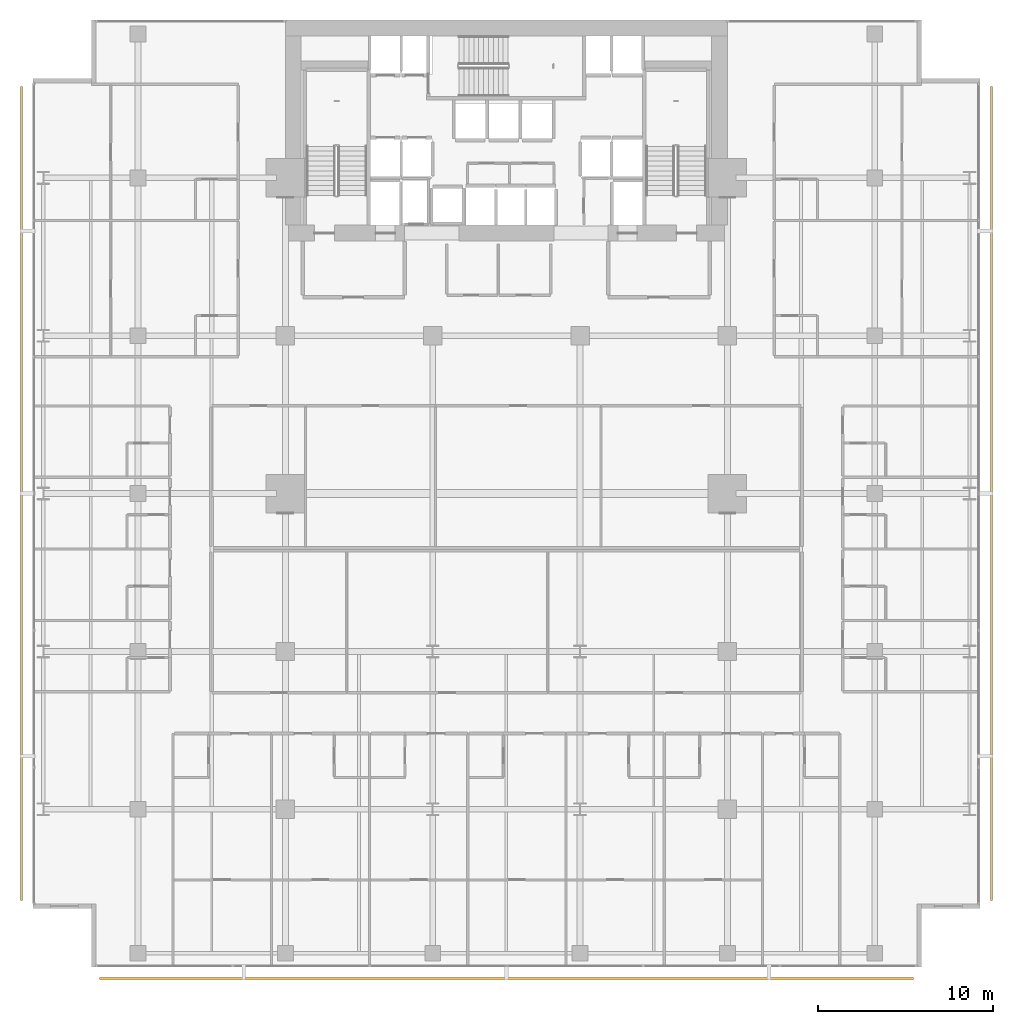
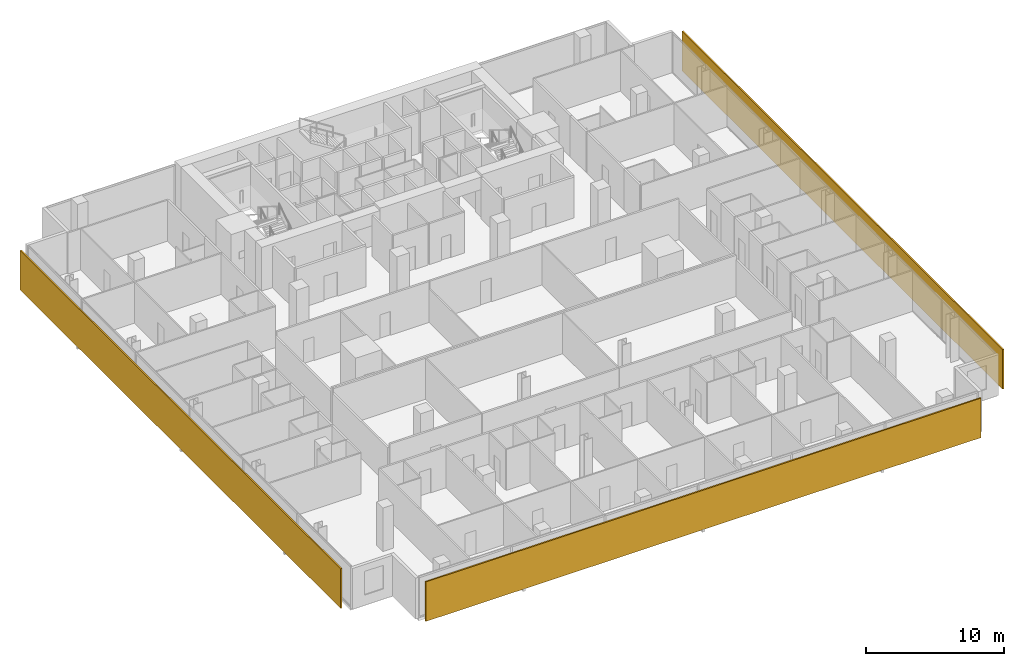
# One storey, part 40 of 41: 3 shading devices.
"""IFC4 building model written with IfcOpenShell, lengths in metres."""

import ifcopenshell
import ifcopenshell.guid

model = None  # the IFC model being written
_history = None  # IfcOwnerHistory: only IFC2X3 demands one
_inside = {}  # id of a spatial element -> (the spatial element, [elements in it])
_under = {}  # id of a project, library or spatial element -> (it, [spatial elements below it])
_declared = {}  # id of a project -> (the project, [libraries it declares])
_typed = {}  # id of a type object -> (the type object, [elements of that type])
_made_of = {}  # id of a material, layer set ... -> (it, [elements and type objects made of it])


def new_model(schema):
    """Start an empty IFC model of exactly this schema.

    Asked for "IFC4X3", IfcOpenShell would pick the latest addendum, in which some entities
    have other attributes; the version numbers below select the first issue.
    IFC2X3 requires an IfcOwnerHistory on every rooted entity: one is made here for all.
    """
    global model, _history
    if schema == "IFC4X3":
        model = ifcopenshell.file(schema_version=(4, 3, 0, 0))
    else:
        model = ifcopenshell.file(schema=schema)
    _inside.clear()
    _under.clear()
    _declared.clear()
    _typed.clear()
    _made_of.clear()
    _history = None
    if model.schema == "IFC2X3":
        org = make("IfcOrganization", Name="unknown")
        user = make(
            "IfcPersonAndOrganization",
            ThePerson=make("IfcPerson", FamilyName="unknown"),
            TheOrganization=org,
        )
        app = make(
            "IfcApplication",
            ApplicationDeveloper=org,
            Version="unknown",
            ApplicationFullName="unknown",
            ApplicationIdentifier="unknown",
        )
        _history = make(
            "IfcOwnerHistory",
            OwningUser=user,
            OwningApplication=app,
            ChangeAction="ADDED",
            CreationDate=0,
        )
    return model


def make(cls, **values):
    """One entity of the class cls with the attributes given. An attribute that is None is left unset."""
    return model.create_entity(
        cls, **{name: value for name, value in values.items() if value is not None}
    )


def rooted(cls, **values):
    """An entity with a GlobalId (a new one), such as an element, a storey or a relation."""
    return make(cls, GlobalId=ifcopenshell.guid.new(), OwnerHistory=_history, **values)


def si_unit(unit_type, name, prefix=None):
    """IfcSIUnit, for example si_unit("LENGTHUNIT", "METRE", prefix="MILLI")."""
    return make("IfcSIUnit", UnitType=unit_type, Prefix=prefix, Name=name)


def assignment(units):
    """IfcUnitAssignment: the units of a project."""
    return None if units is None else make("IfcUnitAssignment", Units=units)


def point(xyz):
    """IfcCartesianPoint."""
    return None if xyz is None else make("IfcCartesianPoint", Coordinates=xyz)


def direction(xyz):
    """IfcDirection."""
    return None if xyz is None else make("IfcDirection", DirectionRatios=xyz)


def frame(location, z_axis=None, x_axis=None):
    """IfcAxis2Placement3D, a coordinate frame: its origin and axes. An axis left out is left unset."""
    return make(
        "IfcAxis2Placement3D",
        Location=point(location),
        Axis=direction(z_axis),
        RefDirection=direction(x_axis),
    )


def frame_2d(location, x_axis=None):
    """IfcAxis2Placement2D, a coordinate frame in the plane: its origin and x axis."""
    return make(
        "IfcAxis2Placement2D", Location=point(location), RefDirection=direction(x_axis)
    )


def origin():
    """The frame at (0, 0, 0) with its axes left unset."""
    return frame((0.0, 0.0, 0.0))


def origin_2d():
    """The frame at (0, 0) in the plane with its x axis left unset."""
    return frame_2d((0.0, 0.0))


def place(relative_to, where):
    """IfcLocalPlacement: puts the frame where relative to a parent placement (None: the world)."""
    return make(
        "IfcLocalPlacement", PlacementRelTo=relative_to, RelativePlacement=where
    )


def context(
    kind, dimensions, precision=None, world=None, true_north=None, identifier=None
):
    """IfcGeometricRepresentationContext, for example the 3D "Model" context."""
    return make(
        "IfcGeometricRepresentationContext",
        ContextIdentifier=identifier,
        ContextType=kind,
        CoordinateSpaceDimension=dimensions,
        Precision=precision,
        WorldCoordinateSystem=world,
        TrueNorth=true_north,
    )


def subcontext(parent, identifier, kind, view, scale=None):
    """IfcGeometricRepresentationSubContext, for example "Body" below "Model"."""
    return make(
        "IfcGeometricRepresentationSubContext",
        ContextIdentifier=identifier,
        ContextType=kind,
        ParentContext=parent,
        TargetScale=scale,
        TargetView=view,
    )


def project(units=None, contexts=None):
    """IfcProject with its units and contexts."""
    return rooted(
        "IfcProject",
        Name="project",
        RepresentationContexts=contexts,
        UnitsInContext=assignment(units),
    )


def spatial(cls, under=None, at=None, **own):
    """A site, building, storey or space (cls), placed at a placement, below another one or the project."""
    s = rooted(cls, ObjectPlacement=at, **own)
    if under is not None:
        _under.setdefault(under.id(), (under, []))[1].append(s)
    return s


def profile(cls, at=None, kind="AREA", **sizes):
    """A parametric profile (cls). Its sizes go by their IFC names, for example OverallWidth=200.0."""
    return make(cls, ProfileType=kind, Position=at, **sizes)


def rectangle(**sizes):
    """IfcRectangleProfileDef."""
    return profile("IfcRectangleProfileDef", **sizes)


def extrude(swept, where, along, depth):
    """IfcExtrudedAreaSolid: the profile swept, set in the frame where, extruded along a direction by depth."""
    return make(
        "IfcExtrudedAreaSolid",
        SweptArea=swept,
        Position=where,
        ExtrudedDirection=direction(along),
        Depth=depth,
    )


def shape(context_of_items, identifier, shape_type, items):
    """IfcShapeRepresentation: the items that make up one representation, for example the "Body"."""
    return make(
        "IfcShapeRepresentation",
        ContextOfItems=context_of_items,
        RepresentationIdentifier=identifier,
        RepresentationType=shape_type,
        Items=items,
    )


def material(Name=None, Category=None):
    """IfcMaterial."""
    return make("IfcMaterial", Name=Name, Category=Category)


def layer(
    of_material, thickness, ventilated=None, Name=None, Category=None, Priority=None
):
    """IfcMaterialLayer: one layer of a wall or slab, of a material (None: an air gap)."""
    return make(
        "IfcMaterialLayer",
        Material=of_material,
        LayerThickness=thickness,
        IsVentilated=ventilated,
        Name=Name,
        Category=Category,
        Priority=Priority,
    )


def layer_set(layers, Name=None):
    """IfcMaterialLayerSet."""
    return make("IfcMaterialLayerSet", MaterialLayers=layers, LayerSetName=Name)


def made_of(thing, what):
    """Note that an element or type object is made of a material, layer set ...; save() writes the relation."""
    if what is not None:
        _made_of.setdefault(what.id(), (what, []))[1].append(thing)
    return thing


def type_object(cls, material=None, **own):
    """A type object (cls), such as IfcWallType, which elements share."""
    return made_of(rooted(cls, **own), material)


def element(
    cls,
    number,
    at=None,
    inside=None,
    cuts=None,
    type_object=None,
    material=None,
    context=None,
    identifier="Body",
    shape_type=None,
    held_by="IfcProductDefinitionShape",
    body=None,
    shapes=None,
    **own,
):
    """One element of the class cls, such as IfcWall. Its Tag is "e" and its number.

    at: its placement. inside: the storey or other place that contains it. cuts: it is an
    opening in that element (IfcRelVoidsElement). A single representation is given by context,
    identifier, shape_type and body (its items); several are given by shapes. held_by: the class
    of the entity that holds the representations. save() writes the other relations.
    """
    e = rooted(cls, Tag="e%d" % number, ObjectPlacement=at, **own)
    if body is not None:
        shapes = [shape(context, identifier, shape_type, body)]
    if shapes is not None:
        e.Representation = make(held_by, Representations=shapes)
    if inside is not None:
        _inside.setdefault(inside.id(), (inside, []))[1].append(e)
    if cuts is not None:
        rooted(
            "IfcRelVoidsElement", RelatingBuildingElement=cuts, RelatedOpeningElement=e
        )
    if type_object is not None:
        _typed.setdefault(type_object.id(), (type_object, []))[1].append(e)
    return made_of(e, material)


def aggregate(whole, parts):
    """IfcRelAggregates: a whole, such as a stair, and the parts it consists of."""
    return rooted("IfcRelAggregates", RelatingObject=whole, RelatedObjects=parts)


def save(model, path):
    """Write the relations noted so far, then the file.

    IfcRelAggregates (storeys below a building ...), IfcRelContainedInSpatialStructure (elements
    in a storey), IfcRelDefinesByType, IfcRelAssociatesMaterial and IfcRelDeclares: one each for
    every whole, place, type object, material and project.
    """
    for whole, parts in _under.values():
        aggregate(whole, parts)
    for where, things in _inside.values():
        rooted(
            "IfcRelContainedInSpatialStructure",
            RelatedElements=things,
            RelatingStructure=where,
        )
    for kind, things in _typed.values():
        rooted("IfcRelDefinesByType", RelatedObjects=things, RelatingType=kind)
    for what, things in _made_of.values():
        rooted("IfcRelAssociatesMaterial", RelatedObjects=things, RelatingMaterial=what)
    for by, libraries in _declared.values():
        rooted("IfcRelDeclares", RelatingContext=by, RelatedDefinitions=libraries)
    model.write(path)


model = new_model("IFC4")

# Units and contexts
model_context = context("Model", 3, precision=1e-05, world=origin(), true_north=direction((0.0, 1.0)))
body_context = subcontext(model_context, "Body", "Model", "MODEL_VIEW")
ifc_project = project(units=[si_unit("LENGTHUNIT", "METRE"), si_unit("AREAUNIT", "SQUARE_METRE"), si_unit("VOLUMEUNIT", "CUBIC_METRE"), si_unit("PLANEANGLEUNIT", "RADIAN"), si_unit("MASSUNIT", "GRAM", prefix="KILO")], contexts=[model_context])

# Site, building, storey
site_placement = place(None, origin())
site = spatial("IfcSite", under=ifc_project, at=site_placement, CompositionType="ELEMENT")
building_placement = place(site_placement, origin())
building = spatial("IfcBuilding", under=site, at=building_placement, Name="Maruvema Waterfront Hotel and Observation Tower", CompositionType="ELEMENT")
storey_placement = place(building_placement, frame((0.0, 0.0, 61.60009765625)))
storey = spatial("IfcBuildingStorey", under=building, at=storey_placement, Name="L14", CompositionType="ELEMENT", Elevation=61.60009765625)

# Shading devices
ifc_material = material(Name="Honed travertine stone and anodised architectural bronze", Category="masonry")
ifc_layer = layer(ifc_material, 0.1201171875, Name="Ventilated Outer Skin Cobogo Stone-and-Bronze Screen 120 mm")
ifc_layer_set = layer_set([ifc_layer], Name="Honed travertine stone and anodised architectural bronze")
shading_device_type = type_object("IfcShadingDeviceType", Name="Ventilated Outer Skin Cobogo Stone-and-Bronze Screen 120 mm", PredefinedType="USERDEFINED", material=ifc_layer_set)
for number, where, z_axis, x_axis, name in (
    (1, (37.800048828125, -0.64990234375, 0.06005859375), (0.0, 0.0, 1.0), (1.0, 0.0, 0.0), "L14 Ventilated Double-Skin Outer Cobogo Screen OS-L14-S"),
    (2, (65.449951171875, 27.0, 0.06005859375), (0.0, 0.0, 1.0), (0.0, 1.0, 0.0), "L14 Ventilated Double-Skin Outer Cobogo Screen OS-L14-E"),
    (3, (10.14990234375, 27.0, 0.06005859375), (0.0, 0.0, 1.0), (0.0, -1.0, 0.0), "L14 Ventilated Double-Skin Outer Cobogo Screen OS-L14-W"),
):
    element("IfcShadingDevice", number, at=place(storey_placement, frame(where, z_axis=z_axis, x_axis=x_axis)), inside=storey, type_object=shading_device_type, Name=name, ObjectType="OUTER SKIN SCREEN", PredefinedType="USERDEFINED", context=body_context, shape_type="SweptSolid", body=[
        extrude(rectangle(XDim=46.39990234375, YDim=0.1201171875, at=origin_2d()), origin(), (0.0, 0.0, 1.0), 3.489990234375),
    ])

save(model, "model.ifc")
